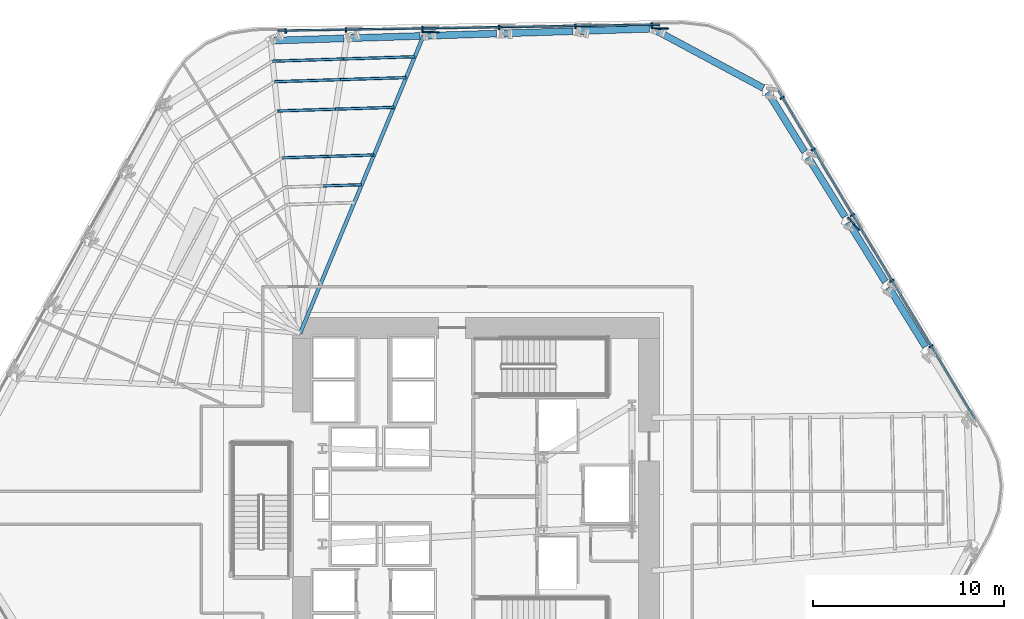
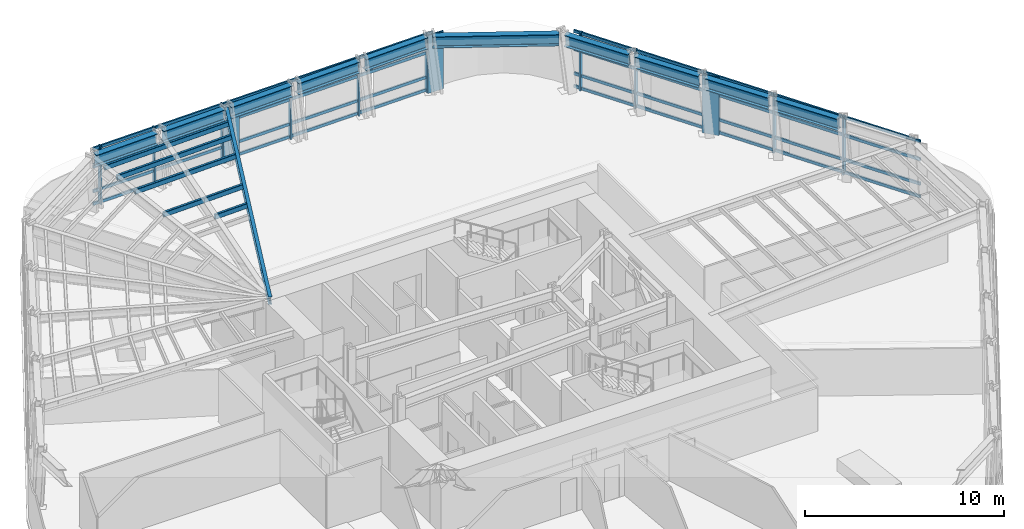
# One storey, part 6 of 15: 31 members, 11 beams, 2 elements without a shape of their own.
"""IFC4 building model written with IfcOpenShell, lengths in metres."""

from ifc_helpers import new_model, si_unit, direction, frame, origin, origin_2d, place, context, subcontext, project, spatial, rectangle, hollow_rectangle, i_section, extrude, material, layer, layer_set, material_profile, profile_set, type_object, element, aggregate, save


model = new_model("IFC4")

# Units and contexts
model_context = context("Model", 3, precision=1e-05, world=origin(), true_north=direction((0.0, 1.0)))
body_context = subcontext(model_context, "Body", "Model", "MODEL_VIEW")
ifc_project = project(units=[si_unit("LENGTHUNIT", "METRE"), si_unit("AREAUNIT", "SQUARE_METRE"), si_unit("VOLUMEUNIT", "CUBIC_METRE"), si_unit("PLANEANGLEUNIT", "RADIAN"), si_unit("MASSUNIT", "GRAM", prefix="KILO")], contexts=[model_context])

# Site, building, storey
site_placement = place(None, origin())
site = spatial("IfcSite", under=ifc_project, at=site_placement, CompositionType="ELEMENT")
building_placement = place(site_placement, origin())
building = spatial("IfcBuilding", under=site, at=building_placement, Name="Valkerne Bourse Tower", CompositionType="ELEMENT")
storey_placement = place(building_placement, frame((0.0, 0.0, 27.800048828125)))
storey = spatial("IfcBuildingStorey", under=building, at=storey_placement, Name="L06", CompositionType="ELEMENT", Elevation=27.800048828125)

# Beams
ifc_material_1 = material(Name="Steel ASTM A992", Category="steel")
ifc_material_profile_1 = material_profile(ifc_material_1, i_section(OverallWidth=0.1904296875, OverallDepth=0.457275390625, WebThickness=0.009033203125, FlangeThickness=0.014404296875, FilletRadius=0.01513671875, at=origin_2d()), Name="W18X50")
ifc_profile_set_1 = profile_set([ifc_material_profile_1], Name="Steel ASTM A992")
beam_type_1 = type_object("IfcBeamType", Name="BM-W18X50", PredefinedType="JOIST", material=ifc_profile_set_1)
beam_1_placement = place(storey_placement, frame((44.048095703125, 50.95751953125, 3.351318359375), z_axis=(-0.382877136166, -0.923799273978, 0.0), x_axis=(0.923799273978, -0.382877136166, 0.0)))
element("IfcBeam", 1, at=beam_1_placement, inside=storey, type_object=beam_type_1, Name="L06 Radial Composite Floor Beam 09", PredefinedType="JOIST", context=body_context, shape_type="SweptSolid", body=[
    extrude(i_section(OverallWidth=0.1904296875, OverallDepth=0.457275390625, WebThickness=0.009033203125, FlangeThickness=0.014404296875, FilletRadius=0.01513671875, at=origin_2d()), origin(), (0.0, 0.0, 1.0), 16.8408203125),
])
ifc_material_profile_2 = material_profile(ifc_material_1, i_section(OverallWidth=0.358154296875, OverallDepth=0.7060546875, WebThickness=0.018310546875, FlangeThickness=0.0302734375, FilletRadius=0.02294921875, at=origin_2d()), Name="W27X178")
ifc_profile_set_2 = profile_set([ifc_material_profile_2], Name="Steel ASTM A992")
beam_type_2 = type_object("IfcBeamType", Name="BM-W27X178", PredefinedType="SPANDREL", material=ifc_profile_set_2)
for number, where, z_axis, x_axis, name in (
    (2, (70.293701171875, 34.714111328125, 3.226806640625), (-0.526952210347, 0.849894915864, 0.0), (-0.849894915864, -0.526952210347, 0.0), "L06 Hexagonal Spandrel Ring Beam 01"),
    (3, (68.18798828125, 38.1103515625, 3.226806640625), (-0.526952210347, 0.849894915864, 0.0), (-0.849894915864, -0.526952210347, 0.0), "L06 Hexagonal Spandrel Ring Beam 02"),
    (4, (66.082275390625, 41.506591796875, 3.226806640625), (-0.526952210347, 0.849894915864, 0.0), (-0.849894915864, -0.526952210347, 0.0), "L06 Hexagonal Spandrel Ring Beam 03"),
    (5, (63.9765625, 44.902587890625, 3.226806640625), (-0.526952210347, 0.849894915864, 0.0), (-0.849894915864, -0.526952210347, 0.0), "L06 Hexagonal Spandrel Ring Beam 04"),
):
    element("IfcBeam", number, at=place(storey_placement, frame(where, z_axis=z_axis, x_axis=x_axis)), inside=storey, type_object=beam_type_2, Name=name, PredefinedType="SPANDREL", context=body_context, shape_type="SweptSolid", body=[
        extrude(i_section(OverallWidth=0.358154296875, OverallDepth=0.7060546875, WebThickness=0.018310546875, FlangeThickness=0.0302734375, FilletRadius=0.02294921875, at=origin_2d()), origin(), (0.0, 0.0, 1.0), 3.656005859375),
    ])
beam_2_placement = place(storey_placement, frame((61.810791015625, 48.234619140625, 3.226806640625), z_axis=(-0.881300401358, 0.47255645437, 0.0), x_axis=(-0.47255645437, -0.881300401358, 0.0)))
element("IfcBeam", 6, at=beam_2_placement, inside=storey, type_object=beam_type_2, Name="L06 Hexagonal Spandrel Ring Beam 05", PredefinedType="SPANDREL", context=body_context, shape_type="SweptSolid", body=[
    extrude(i_section(OverallWidth=0.358154296875, OverallDepth=0.7060546875, WebThickness=0.018310546875, FlangeThickness=0.0302734375, FilletRadius=0.02294921875, at=origin_2d()), origin(), (0.0, 0.0, 1.0), 6.38916015625),
])
for number, where, z_axis, x_axis, name in (
    (7, (55.8603515625, 51.328857421875, 3.226806640625), (-0.999505277237, -0.031451562372, 0.0), (0.031451562372, -0.999505277237, 0.0), "L06 Hexagonal Spandrel Ring Beam 06"),
    (8, (51.8662109375, 51.203369140625, 3.226806640625), (-0.999505277237, -0.031451562372, 0.0), (0.031451562372, -0.999505277237, 0.0), "L06 Hexagonal Spandrel Ring Beam 07"),
    (9, (47.872314453125, 51.077880859375, 3.226806640625), (-0.999505277237, -0.031451562372, 0.0), (0.031451562372, -0.999505277237, 0.0), "L06 Hexagonal Spandrel Ring Beam 08"),
):
    element("IfcBeam", number, at=place(storey_placement, frame(where, z_axis=z_axis, x_axis=x_axis)), inside=storey, type_object=beam_type_2, Name=name, PredefinedType="SPANDREL", context=body_context, shape_type="SweptSolid", body=[
        extrude(i_section(OverallWidth=0.358154296875, OverallDepth=0.7060546875, WebThickness=0.018310546875, FlangeThickness=0.0302734375, FilletRadius=0.02294921875, at=origin_2d()), origin(), (0.0, 0.0, 1.0), 3.656005859375),
    ])
beam_3_placement = place(storey_placement, frame((43.878173828125, 50.952392578125, 3.226806640625), z_axis=(-0.999505211175, -0.031453661687, 0.0), x_axis=(0.031453661687, -0.999505211175, 0.0)))
element("IfcBeam", 10, at=beam_3_placement, inside=storey, type_object=beam_type_2, Name="L06 Hexagonal Spandrel Ring Beam 09", PredefinedType="SPANDREL", context=body_context, shape_type="SweptSolid", body=[
    extrude(i_section(OverallWidth=0.358154296875, OverallDepth=0.7060546875, WebThickness=0.018310546875, FlangeThickness=0.0302734375, FilletRadius=0.02294921875, at=origin_2d()), origin(), (0.0, 0.0, 1.0), 3.65576171875),
])
beam_4_placement = place(storey_placement, frame((39.88427734375, 50.826904296875, 3.226806640625), z_axis=(-0.999505277237, -0.031451562372, 0.0), x_axis=(0.031451562372, -0.999505277237, 0.0)))
element("IfcBeam", 11, at=beam_4_placement, inside=storey, type_object=beam_type_2, Name="L06 Hexagonal Spandrel Ring Beam 10", PredefinedType="SPANDREL", context=body_context, shape_type="SweptSolid", body=[
    extrude(i_section(OverallWidth=0.358154296875, OverallDepth=0.7060546875, WebThickness=0.018310546875, FlangeThickness=0.0302734375, FilletRadius=0.02294921875, at=origin_2d()), origin(), (0.0, 0.0, 1.0), 3.656005859375),
])

# Curtain wall, members
ifc_material_2 = material(Name="Aluminium AA 6063-T6", Category="aluminium")
ifc_layer = layer(ifc_material_2, 0.22509765625)
ifc_layer_set = layer_set([ifc_layer], Name="Aluminium AA 6063-T6")
curtain_wall_type = type_object("IfcCurtainWallType", Name="CW-01", PredefinedType="NOTDEFINED", material=ifc_layer_set)
curtain_wall_1_placement = place(storey_placement, origin())
curtain_wall_1 = element("IfcCurtainWall", 12, at=curtain_wall_1_placement, inside=storey, type_object=curtain_wall_type, Name="L06 Hexagonal Stick Curtain Wall Face 1", PredefinedType="NOTDEFINED")
ifc_material_profile_3 = material_profile(ifc_material_2, rectangle(XDim=0.090087890625, YDim=0.239990234375, at=origin_2d()), Name="CWM-90X240")
ifc_profile_set_3 = profile_set([ifc_material_profile_3], Name="Aluminium AA 6063-T6")
member_type_1 = type_object("IfcMemberType", Name="CW-MUL-240X90", PredefinedType="MULLION", material=ifc_profile_set_3)
member_1_placement = place(storey_placement, frame((70.575439453125, 34.7333984375, 0.0), z_axis=(0.0, 0.0, 1.0), x_axis=(-0.51356069666, 0.85805326807, 0.0)))
member_1 = element("IfcMember", 13, at=member_1_placement, type_object=member_type_1, Name="CW-L06-F1 Jamb Mullion 01A", PredefinedType="MULLION", context=body_context, shape_type="SweptSolid", body=[
    extrude(rectangle(XDim=0.090087890625, YDim=0.239990234375, at=origin_2d()), origin(), (0.0, 0.0, 1.0), 3.579833984375),
])
member_2_placement = place(storey_placement, frame((68.523193359375, 38.162109375, 0.0), z_axis=(0.0, 0.0, 1.0), x_axis=(-0.513542271598, 0.858064295541, 0.0)))
member_2 = element("IfcMember", 14, at=member_2_placement, type_object=member_type_1, Name="CW-L06-F1 Jamb Mullion 02A", PredefinedType="MULLION", context=body_context, shape_type="SweptSolid", body=[
    extrude(rectangle(XDim=0.090087890625, YDim=0.239990234375, at=origin_2d()), origin(), (0.0, 0.0, 1.0), 3.579833984375),
])
member_3_placement = place(storey_placement, frame((66.47119140625, 41.5908203125, 0.0), z_axis=(0.0, 0.0, 1.0), x_axis=(-0.513531244377, 0.858070895118, 0.0)))
member_3 = element("IfcMember", 15, at=member_3_placement, type_object=member_type_1, Name="CW-L06-F1 Jamb Mullion 03A", PredefinedType="MULLION", context=body_context, shape_type="SweptSolid", body=[
    extrude(rectangle(XDim=0.090087890625, YDim=0.239990234375, at=origin_2d()), origin(), (0.0, 0.0, 1.0), 3.579833984375),
])
member_4_placement = place(storey_placement, frame((64.419189453125, 45.019775390625, 0.0), z_axis=(0.0, 0.0, 1.0), x_axis=(-0.513542271598, 0.858064295541, 0.0)))
member_4 = element("IfcMember", 16, at=member_4_placement, type_object=member_type_1, Name="CW-L06-F1 Jamb Mullion 04A", PredefinedType="MULLION", context=body_context, shape_type="SweptSolid", body=[
    extrude(rectangle(XDim=0.090087890625, YDim=0.239990234375, at=origin_2d()), origin(), (0.0, 0.0, 1.0), 3.579833984375),
])
member_5_placement = place(storey_placement, frame((62.79833984375, 47.727783203125, 0.0), z_axis=(0.0, 0.0, 1.0), x_axis=(-0.513542271598, 0.858064295541, 0.0)))
member_5 = element("IfcMember", 17, at=member_5_placement, type_object=member_type_1, Name="CW-L06-F1 Jamb Mullion 04B", PredefinedType="MULLION", context=body_context, shape_type="SweptSolid", body=[
    extrude(rectangle(XDim=0.090087890625, YDim=0.239990234375, at=origin_2d()), origin(), (0.0, 0.0, 1.0), 3.579833984375),
])

curtain_wall_2_placement = place(storey_placement, origin())
curtain_wall_2 = element("IfcCurtainWall", 18, at=curtain_wall_2_placement, inside=storey, type_object=curtain_wall_type, Name="L06 Hexagonal Stick Curtain Wall Face 2", PredefinedType="NOTDEFINED")
member_6_placement = place(storey_placement, frame((55.986083984375, 51.51953125, 0.0), z_axis=(0.0, 0.0, 1.0), x_axis=(-0.999876500112, -0.015715741255, 0.0)))
member_6 = element("IfcMember", 19, at=member_6_placement, type_object=member_type_1, Name="CW-L06-F2 Jamb Mullion 00A", PredefinedType="MULLION", context=body_context, shape_type="SweptSolid", body=[
    extrude(rectangle(XDim=0.090087890625, YDim=0.239990234375, at=origin_2d()), origin(), (0.0, 0.0, 1.0), 3.579833984375),
])
member_7_placement = place(storey_placement, frame((51.990478515625, 51.456787109375, 0.0), z_axis=(0.0, 0.0, 1.0), x_axis=(-0.999876500112, -0.015715741255, 0.0)))
member_7 = element("IfcMember", 20, at=member_7_placement, type_object=member_type_1, Name="CW-L06-F2 Jamb Mullion 01A", PredefinedType="MULLION", context=body_context, shape_type="SweptSolid", body=[
    extrude(rectangle(XDim=0.090087890625, YDim=0.239990234375, at=origin_2d()), origin(), (0.0, 0.0, 1.0), 3.579833984375),
])
member_8_placement = place(storey_placement, frame((47.9951171875, 51.39404296875, 0.0), z_axis=(0.0, 0.0, 1.0), x_axis=(-0.999876893038, -0.015690722358, 0.0)))
member_8 = element("IfcMember", 21, at=member_8_placement, type_object=member_type_1, Name="CW-L06-F2 Jamb Mullion 02A", PredefinedType="MULLION", context=body_context, shape_type="SweptSolid", body=[
    extrude(rectangle(XDim=0.090087890625, YDim=0.239990234375, at=origin_2d()), origin(), (0.0, 0.0, 1.0), 3.579833984375),
])
member_9_placement = place(storey_placement, frame((43.99951171875, 51.331298828125, 0.0), z_axis=(0.0, 0.0, 1.0), x_axis=(-0.999876500112, -0.015715741255, 0.0)))
member_9 = element("IfcMember", 22, at=member_9_placement, type_object=member_type_1, Name="CW-L06-F2 Jamb Mullion 03A", PredefinedType="MULLION", context=body_context, shape_type="SweptSolid", body=[
    extrude(rectangle(XDim=0.090087890625, YDim=0.239990234375, at=origin_2d()), origin(), (0.0, 0.0, 1.0), 3.579833984375),
])
member_10_placement = place(storey_placement, frame((40.00390625, 51.2685546875, 0.0), z_axis=(0.0, 0.0, 1.0), x_axis=(-0.999876500112, -0.015715741255, 0.0)))
member_10 = element("IfcMember", 23, at=member_10_placement, type_object=member_type_1, Name="CW-L06-F2 Jamb Mullion 04A", PredefinedType="MULLION", context=body_context, shape_type="SweptSolid", body=[
    extrude(rectangle(XDim=0.090087890625, YDim=0.239990234375, at=origin_2d()), origin(), (0.0, 0.0, 1.0), 3.579833984375),
])
member_11_placement = place(storey_placement, frame((36.848388671875, 51.218994140625, 0.0), z_axis=(0.0, 0.0, 1.0), x_axis=(-0.999876500112, -0.015715741255, 0.0)))
member_11 = element("IfcMember", 24, at=member_11_placement, type_object=member_type_1, Name="CW-L06-F2 Jamb Mullion 04B", PredefinedType="MULLION", context=body_context, shape_type="SweptSolid", body=[
    extrude(rectangle(XDim=0.090087890625, YDim=0.239990234375, at=origin_2d()), origin(), (0.0, 0.0, 1.0), 3.579833984375),
])

# Member
ifc_material_profile_4 = material_profile(ifc_material_2, rectangle(XDim=0.090087890625, YDim=0.179931640625, at=origin_2d()), Name="CWT-90X180")
ifc_profile_set_4 = profile_set([ifc_material_profile_4], Name="Aluminium AA 6063-T6")
member_type_2 = type_object("IfcMemberType", Name="CW-TRN-180X90", PredefinedType="USERDEFINED", material=ifc_profile_set_4)
member_12_placement = place(storey_placement, frame((72.8603515625, 30.954345703125, 0.119873046875), z_axis=(-0.513541251962, 0.858064905781, 0.0), x_axis=(-0.858064905781, -0.513541251962, 0.0)))
member_12 = element("IfcMember", 25, at=member_12_placement, type_object=member_type_2, Name="CW-L06-F1 Continuous Face Transom 1", ObjectType="TRANSOM", PredefinedType="USERDEFINED", context=body_context, shape_type="SweptSolid", body=[
    extrude(rectangle(XDim=0.090087890625, YDim=0.179931640625, at=origin_2d()), origin(), (0.0, 0.0, 1.0), 19.97998046875),
])

member_13_placement = place(storey_placement, frame((72.8603515625, 30.954345703125, 0.89990234375), z_axis=(-0.513541251962, 0.858064905781, 0.0), x_axis=(-0.858064905781, -0.513541251962, 0.0)))
member_13 = element("IfcMember", 26, at=member_13_placement, type_object=member_type_2, Name="CW-L06-F1 Continuous Face Transom 2", ObjectType="TRANSOM", PredefinedType="USERDEFINED", context=body_context, shape_type="SweptSolid", body=[
    extrude(rectangle(XDim=0.090087890625, YDim=0.179931640625, at=origin_2d()), origin(), (0.0, 0.0, 1.0), 19.97998046875),
])

member_14_placement = place(storey_placement, frame((72.8603515625, 30.954345703125, 2.39990234375), z_axis=(-0.513541251962, 0.858064905781, 0.0), x_axis=(-0.858064905781, -0.513541251962, 0.0)))
member_14 = element("IfcMember", 27, at=member_14_placement, type_object=member_type_2, Name="CW-L06-F1 Continuous Face Transom 3", ObjectType="TRANSOM", PredefinedType="USERDEFINED", context=body_context, shape_type="SweptSolid", body=[
    extrude(rectangle(XDim=0.090087890625, YDim=0.179931640625, at=origin_2d()), origin(), (0.0, 0.0, 1.0), 19.97998046875),
])

member_15_placement = place(storey_placement, frame((72.8603515625, 30.954345703125, 3.5), z_axis=(-0.513541251962, 0.858064905781, 0.0), x_axis=(-0.858064905781, -0.513541251962, 0.0)))
member_15 = element("IfcMember", 28, at=member_15_placement, type_object=member_type_2, Name="CW-L06-F1 Continuous Face Transom 4", ObjectType="TRANSOM", PredefinedType="USERDEFINED", context=body_context, shape_type="SweptSolid", body=[
    extrude(rectangle(XDim=0.090087890625, YDim=0.179931640625, at=origin_2d()), origin(), (0.0, 0.0, 1.0), 19.97998046875),
])

aggregate(curtain_wall_1, [member_12, member_13, member_14, member_15, member_1, member_2, member_3, member_4, member_5])

member_16_placement = place(storey_placement, frame((56.405517578125, 51.546142578125, 0.119873046875), z_axis=(-0.999876720157, -0.015701735169, 0.0), x_axis=(0.015701735169, -0.999876720157, 0.0)))
member_16 = element("IfcMember", 29, at=member_16_placement, type_object=member_type_2, Name="CW-L06-F2 Continuous Face Transom 1", ObjectType="TRANSOM", PredefinedType="USERDEFINED", context=body_context, shape_type="SweptSolid", body=[
    extrude(rectangle(XDim=0.090087890625, YDim=0.179931640625, at=origin_2d()), origin(), (0.0, 0.0, 1.0), 19.97998046875),
])

member_17_placement = place(storey_placement, frame((56.405517578125, 51.546142578125, 0.89990234375), z_axis=(-0.999876720157, -0.015701735169, 0.0), x_axis=(0.015701735169, -0.999876720157, 0.0)))
member_17 = element("IfcMember", 30, at=member_17_placement, type_object=member_type_2, Name="CW-L06-F2 Continuous Face Transom 2", ObjectType="TRANSOM", PredefinedType="USERDEFINED", context=body_context, shape_type="SweptSolid", body=[
    extrude(rectangle(XDim=0.090087890625, YDim=0.179931640625, at=origin_2d()), origin(), (0.0, 0.0, 1.0), 19.97998046875),
])

member_18_placement = place(storey_placement, frame((56.405517578125, 51.546142578125, 2.39990234375), z_axis=(-0.999876720157, -0.015701735169, 0.0), x_axis=(0.015701735169, -0.999876720157, 0.0)))
member_18 = element("IfcMember", 31, at=member_18_placement, type_object=member_type_2, Name="CW-L06-F2 Continuous Face Transom 3", ObjectType="TRANSOM", PredefinedType="USERDEFINED", context=body_context, shape_type="SweptSolid", body=[
    extrude(rectangle(XDim=0.090087890625, YDim=0.179931640625, at=origin_2d()), origin(), (0.0, 0.0, 1.0), 19.97998046875),
])

member_19_placement = place(storey_placement, frame((56.405517578125, 51.546142578125, 3.5), z_axis=(-0.999876720157, -0.015701735169, 0.0), x_axis=(0.015701735169, -0.999876720157, 0.0)))
member_19 = element("IfcMember", 32, at=member_19_placement, type_object=member_type_2, Name="CW-L06-F2 Continuous Face Transom 4", ObjectType="TRANSOM", PredefinedType="USERDEFINED", context=body_context, shape_type="SweptSolid", body=[
    extrude(rectangle(XDim=0.090087890625, YDim=0.179931640625, at=origin_2d()), origin(), (0.0, 0.0, 1.0), 19.97998046875),
])

aggregate(curtain_wall_2, [member_16, member_17, member_18, member_19, member_6, member_7, member_8, member_9, member_10, member_11])

# Members
ifc_material_3 = material(Name="Bronze Anodised Aluminium AA 6063-T6", Category="aluminium")
ifc_material_profile_5 = material_profile(ifc_material_3, rectangle(XDim=0.070068359375, YDim=0.89990234375, at=origin_2d()), Name="FIN-70X900")
ifc_profile_set_5 = profile_set([ifc_material_profile_5], Name="Bronze Anodised Aluminium AA 6063-T6")
member_type_3 = type_object("IfcMemberType", Name="FIN-SOLAR-900", PredefinedType="USERDEFINED", material=ifc_profile_set_5)
for number, where, z_axis, x_axis, name in (
    (33, (66.532470703125, 41.13818359375, 0.00390625), (0.0, 0.0, 1.0), (0.747337315565, 0.6644448335, 0.0), "L06 Bronze Anodised Solar Fin F1-03"),
    (34, (56.40869140625, 51.34619140625, 0.00390625), (0.0, 0.0, 1.0), (0.026292813653, 0.999654284215, 0.0), "L06 Bronze Anodised Solar Fin F2-00"),
    (35, (44.42236328125, 51.157958984375, 0.00390625), (0.0, 0.0, 1.0), (0.026292813653, 0.999654284215, 0.0), "L06 Bronze Anodised Solar Fin F2-03"),
):
    element("IfcMember", number, at=place(storey_placement, frame(where, z_axis=z_axis, x_axis=x_axis)), inside=storey, type_object=member_type_3, Name=name, ObjectType="SOLAR_FIN", PredefinedType="USERDEFINED", context=body_context, shape_type="SweptSolid", body=[
        extrude(rectangle(XDim=0.070068359375, YDim=0.89990234375, at=origin_2d()), origin(), (0.0, 0.0, 1.0), 3.572021484375),
    ])
ifc_material_4 = material(Name="Steel ASTM A500 Grade C", Category="steel")
ifc_material_profile_6 = material_profile(ifc_material_4, hollow_rectangle(XDim=0.14990234375, YDim=0.300048828125, WallThickness=0.012451171875, OuterFilletRadius=0.02490234375, at=origin_2d()), Name="HSS300X150X12.5")
ifc_profile_set_6 = profile_set([ifc_material_profile_6], Name="Steel ASTM A500 Grade C")
member_type_4 = type_object("IfcMemberType", Name="MBR-HSS300X150X12.5", PredefinedType="PURLIN", material=ifc_profile_set_6)
member_20_placement = place(storey_placement, frame((40.823974609375, 43.1787109375, 3.419921875), z_axis=(-0.999510644527, -0.031280528728, 0.0), x_axis=(0.031280528728, -0.999510644527, 0.0)))
element("IfcMember", 36, at=member_20_placement, inside=storey, type_object=member_type_4, Name="L06 Secondary Composite Floor Purlin M-09", PredefinedType="PURLIN", context=body_context, shape_type="SweptSolid", body=[
    extrude(hollow_rectangle(XDim=0.14990234375, YDim=0.300048828125, WallThickness=0.012451171875, OuterFilletRadius=0.02490234375, at=origin_2d()), origin(), (0.0, 0.0, 1.0), 1.998046875),
])
for number, where, z_axis, x_axis, name in (
    (37, (42.50048828125, 47.223876953125, 3.419921875), (-0.999505860404, -0.031433024324, 0.0), (0.031433024324, -0.999505860404, 0.0), "L06 Secondary Composite Floor Purlin O-09"),
    (38, (39.465087890625, 47.12841796875, 3.419921875), (-0.999505860404, -0.031433024324, 0.0), (0.031433024324, -0.999505860404, 0.0), "L06 Secondary Composite Floor Purlin O-10"),
):
    element("IfcMember", number, at=place(storey_placement, frame(where, z_axis=z_axis, x_axis=x_axis)), inside=storey, type_object=member_type_4, Name=name, PredefinedType="PURLIN", context=body_context, shape_type="SweptSolid", body=[
        extrude(hollow_rectangle(XDim=0.14990234375, YDim=0.300048828125, WallThickness=0.012451171875, OuterFilletRadius=0.02490234375, at=origin_2d()), origin(), (0.0, 0.0, 1.0), 3.036865234375),
    ])
for number, where, z_axis, x_axis, name in (
    (39, (41.468994140625, 44.734619140625, 3.419921875), (-0.999504897362, -0.03146363216, 0.0), (0.03146363216, -0.999504897362, 0.0), "L06 Secondary Composite Floor Purlin Z-09"),
    (40, (39.072509765625, 44.6591796875, 3.419921875), (-0.999508094365, -0.031361908421, 0.0), (0.031361908421, -0.999508094365, 0.0), "L06 Secondary Composite Floor Purlin Z-10"),
):
    element("IfcMember", number, at=place(storey_placement, frame(where, z_axis=z_axis, x_axis=x_axis)), inside=storey, type_object=member_type_4, Name=name, PredefinedType="PURLIN", context=body_context, shape_type="SweptSolid", body=[
        extrude(hollow_rectangle(XDim=0.14990234375, YDim=0.300048828125, WallThickness=0.012451171875, OuterFilletRadius=0.02490234375, at=origin_2d()), origin(), (0.0, 0.0, 1.0), 2.397705078125),
    ])
member_21_placement = place(storey_placement, frame((43.1455078125, 48.779541015625, 3.419921875), z_axis=(-0.999506934005, -0.031398867436, 0.0), x_axis=(0.031398867436, -0.999506934005, 0.0)))
element("IfcMember", 41, at=member_21_placement, inside=storey, type_object=member_type_4, Name="L06 Secondary Composite Floor Purlin T-09", PredefinedType="PURLIN", context=body_context, shape_type="SweptSolid", body=[
    extrude(hollow_rectangle(XDim=0.14990234375, YDim=0.300048828125, WallThickness=0.012451171875, OuterFilletRadius=0.02490234375, at=origin_2d()), origin(), (0.0, 0.0, 1.0), 3.436767578125),
])
member_22_placement = place(storey_placement, frame((39.71044921875, 48.671630859375, 3.419921875), z_axis=(-0.999506863962, -0.031401097013, 0.0), x_axis=(0.031401097013, -0.999506863962, 0.0)))
element("IfcMember", 42, at=member_22_placement, inside=storey, type_object=member_type_4, Name="L06 Secondary Composite Floor Purlin T-10", PredefinedType="PURLIN", context=body_context, shape_type="SweptSolid", body=[
    extrude(hollow_rectangle(XDim=0.14990234375, YDim=0.300048828125, WallThickness=0.012451171875, OuterFilletRadius=0.02490234375, at=origin_2d()), origin(), (0.0, 0.0, 1.0), 3.4365234375),
])
for number, where, z_axis, x_axis, name in (
    (43, (43.5966796875, 49.86865234375, 3.419921875), (-0.999506806216, -0.031402935018, 0.0), (0.031402935018, -0.999506806216, 0.0), "L06 Secondary Composite Floor Purlin U-09"),
    (44, (39.88232421875, 49.751953125, 3.419921875), (-0.99950474202, -0.031468566546, 0.0), (0.031468566546, -0.99950474202, 0.0), "L06 Secondary Composite Floor Purlin U-10"),
):
    element("IfcMember", number, at=place(storey_placement, frame(where, z_axis=z_axis, x_axis=x_axis)), inside=storey, type_object=member_type_4, Name=name, PredefinedType="PURLIN", context=body_context, shape_type="SweptSolid", body=[
        extrude(hollow_rectangle(XDim=0.14990234375, YDim=0.300048828125, WallThickness=0.012451171875, OuterFilletRadius=0.02490234375, at=origin_2d()), origin(), (0.0, 0.0, 1.0), 3.71630859375),
    ])

save(model, "model.ifc")
